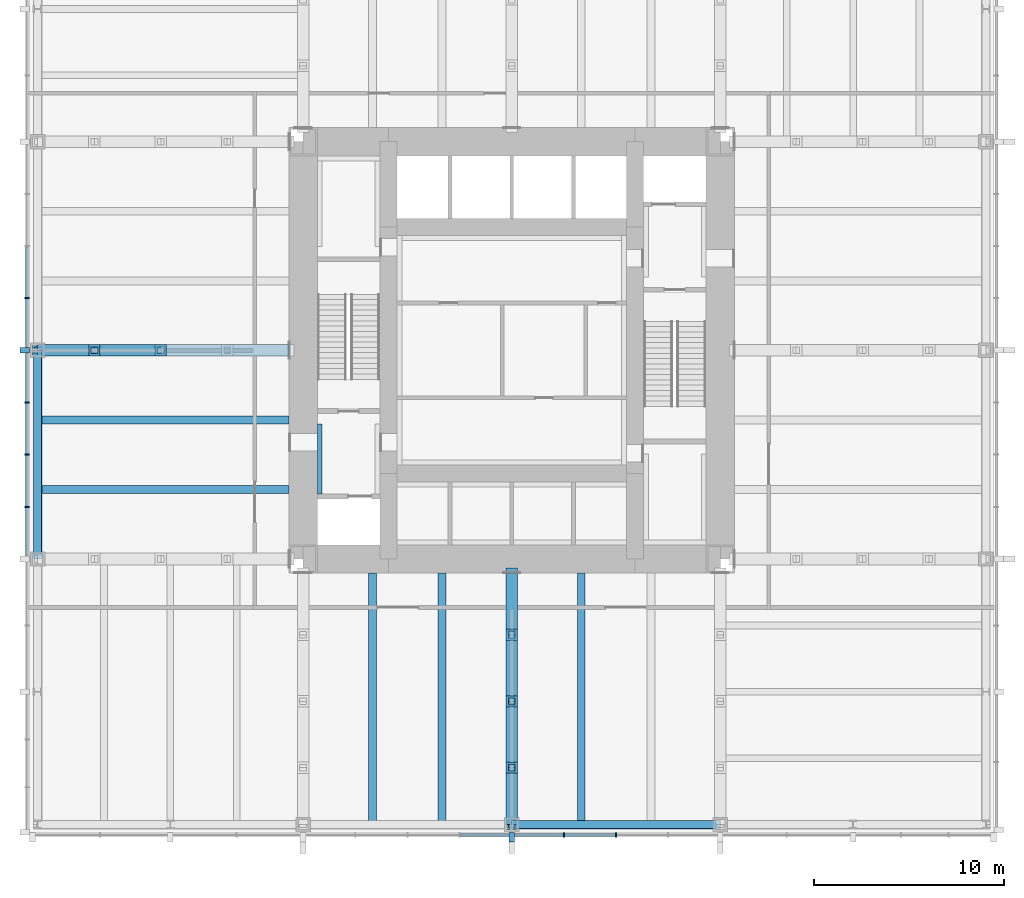
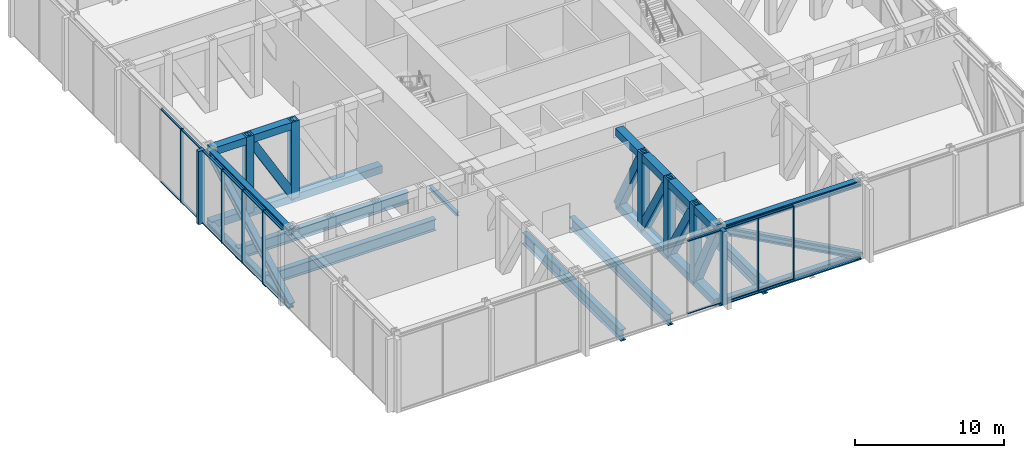
# One storey, part 3 of 13: 39 members, 18 beams, 2 elements without a shape of their own.
"""IFC4 building model written with IfcOpenShell, lengths in metres."""

from ifc_helpers import new_model, si_unit, direction, frame, origin, origin_2d, place, context, subcontext, project, spatial, rectangle, hollow_rectangle, i_section, extrude, material, material_profile, profile_set, type_object, element, aggregate, save


model = new_model("IFC4")

# Units and contexts
model_context = context("Model", 3, precision=1e-05, world=origin(), true_north=direction((0.0, 1.0)))
body_context = subcontext(model_context, "Body", "Model", "MODEL_VIEW")
ifc_project = project(units=[si_unit("LENGTHUNIT", "METRE"), si_unit("AREAUNIT", "SQUARE_METRE"), si_unit("VOLUMEUNIT", "CUBIC_METRE"), si_unit("PLANEANGLEUNIT", "RADIAN"), si_unit("MASSUNIT", "GRAM", prefix="KILO")], contexts=[model_context])

# Site, building, storey
site_placement = place(None, origin())
site = spatial("IfcSite", under=ifc_project, at=site_placement, CompositionType="ELEMENT")
building_placement = place(site_placement, origin())
building = spatial("IfcBuilding", under=site, at=building_placement, Name="Trevanion Tower", CompositionType="ELEMENT")
storey_placement = place(building_placement, frame((0.0, 0.0, 89.800048828125)))
storey = spatial("IfcBuildingStorey", under=building, at=storey_placement, Name="L21", CompositionType="ELEMENT", Elevation=89.800048828125)

# Beams
ifc_material_1 = material(Name="Steel ASTM A992 Grade 50", Category="steel")
ifc_material_profile_1 = material_profile(ifc_material_1, i_section(OverallWidth=0.419189453125, OverallDepth=0.927001953125, WebThickness=0.019287109375, FlangeThickness=0.031982421875, at=origin_2d()), Name="W36X231")
ifc_profile_set_1 = profile_set([ifc_material_profile_1], Name="Steel ASTM A992 Grade 50")
beam_type_1 = type_object("IfcBeamType", Name="B5 W36X231", PredefinedType="BEAM", material=ifc_profile_set_1)
for number, where, z_axis, x_axis, name in (
    (1, (-11.75, -3.666748046875, -0.653564453125), (-1.0, 0.0, 0.0), (0.0, -1.0, 0.0), "B5 L21"),
    (2, (-11.75, -7.333251953125, -0.653564453125), (-1.0, 0.0, 0.0), (0.0, -1.0, 0.0), "B5 L21"),
    (3, (-7.333251953125, -11.75, -0.653564453125), (0.0, -1.0, 0.0), (1.0, 0.0, 0.0), "B5 L21"),
    (4, (-3.666748046875, -11.75, -0.653564453125), (0.0, -1.0, 0.0), (1.0, 0.0, 0.0), "B5 L21"),
    (5, (3.666748046875, -11.75, -0.653564453125), (0.0, -1.0, 0.0), (1.0, 0.0, 0.0), "B5 L21"),
):
    element("IfcBeam", number, at=place(storey_placement, frame(where, z_axis=z_axis, x_axis=x_axis)), inside=storey, type_object=beam_type_1, Name=name, PredefinedType="BEAM", context=body_context, shape_type="SweptSolid", body=[
        extrude(i_section(OverallWidth=0.419189453125, OverallDepth=0.927001953125, WebThickness=0.019287109375, FlangeThickness=0.031982421875, at=origin_2d()), origin(), (0.0, 0.0, 1.0), 13.25),
    ])
ifc_material_2 = material(Name="Steel ASTM A992 Grade 50", Category="steel")
ifc_material_profile_2 = material_profile(ifc_material_2, i_section(OverallWidth=0.431884765625, OverallDepth=0.497802734375, WebThickness=0.0556640625, FlangeThickness=0.0888671875, at=origin_2d()), Name="W14X500")
ifc_profile_set_2 = profile_set([ifc_material_profile_2], Name="Steel ASTM A992 Grade 50")
beam_type_2 = type_object("IfcBeamType", Name="BT1-CH W14X500", PredefinedType="BEAM", material=ifc_profile_set_2)
for number, where, z_axis, x_axis, name in (
    (6, (-25.0, 0.0, -0.494873046875), (0.0, -1.0, 0.0), (1.0, 0.0, 0.0), "BT1 belt truss chord"),
    (7, (-25.0, 0.0, 5.505126953125), (0.0, -1.0, 0.0), (1.0, 0.0, 0.0), "BT1 belt truss chord"),
    (8, (0.0, -25.0, -0.494873046875), (1.0, 0.0, 0.0), (0.0, 1.0, 0.0), "BT1 belt truss chord"),
    (9, (0.0, -25.0, 5.505126953125), (1.0, 0.0, 0.0), (0.0, 1.0, 0.0), "BT1 belt truss chord"),
):
    element("IfcBeam", number, at=place(storey_placement, frame(where, z_axis=z_axis, x_axis=x_axis)), inside=storey, type_object=beam_type_2, Name=name, PredefinedType="BEAM", context=body_context, shape_type="SweptSolid", body=[
        extrude(i_section(OverallWidth=0.431884765625, OverallDepth=0.497802734375, WebThickness=0.0556640625, FlangeThickness=0.0888671875, at=origin_2d()), origin(), (0.0, 0.0, 1.0), 11.0),
    ])

# Members
ifc_material_3 = material(Name="Steel ASTM A992 Grade 50", Category="steel")
ifc_material_profile_3 = material_profile(ifc_material_3, i_section(OverallWidth=0.449462890625, OverallDepth=0.548583984375, WebThickness=0.07177734375, FlangeThickness=0.11474609375, at=origin_2d()), Name="W14X665")
ifc_profile_set_3 = profile_set([ifc_material_profile_3], Name="Steel ASTM A992 Grade 50")
member_type_1 = type_object("IfcMemberType", Name="BT1-D W14X665", PredefinedType="BRACE", material=ifc_profile_set_3)
for number, where, z_axis, x_axis, name in (
    (10, (-25.0, -11.0, -0.494873046875), (0.0, 0.877895572914, 0.478852130681), (-1.0, 0.0, 0.0), "BT1 belt truss diagonal"),
    (11, (11.0, -25.0, -0.494873046875), (-0.877895572914, 0.0, 0.478852130681), (0.0, -1.0, 0.0), "BT1 belt truss diagonal"),
):
    element("IfcMember", number, at=place(storey_placement, frame(where, z_axis=z_axis, x_axis=x_axis)), inside=storey, type_object=member_type_1, Name=name, PredefinedType="BRACE", context=body_context, shape_type="SweptSolid", body=[
        extrude(i_section(OverallWidth=0.449462890625, OverallDepth=0.548583984375, WebThickness=0.07177734375, FlangeThickness=0.11474609375, at=origin_2d()), origin(), (0.0, 0.0, 1.0), 12.530029296875),
    ])

# Curtain wall, members
ifc_material_4 = material(Name="Aluminium louvres", Category="aluminium")
curtain_wall_type = type_object("IfcCurtainWallType", Name="CWL curtain wall", PredefinedType="USERDEFINED", material=ifc_material_4)
curtain_wall_1_placement = place(storey_placement, origin())
curtain_wall_1 = element("IfcCurtainWall", 12, at=curtain_wall_1_placement, inside=storey, type_object=curtain_wall_type, Name="CWL L21 2", ObjectType="LOUVRE SCREEN", PredefinedType="USERDEFINED")
ifc_material_5 = material(Name="Aluminium extrusion, anodised bronze", Category="aluminium")
ifc_material_profile_4 = material_profile(ifc_material_5, rectangle(XDim=0.074951171875, YDim=0.25, at=origin_2d()), Name="CWL mullion")
ifc_profile_set_4 = profile_set([ifc_material_profile_4], Name="Aluminium extrusion, anodised bronze")
member_type_2 = type_object("IfcMemberType", Name="CWL mullion", PredefinedType="MULLION", material=ifc_profile_set_4)
member_1_placement = place(storey_placement, frame((-25.550048828125, 2.75, -0.18994140625), z_axis=(0.0, 0.0, 1.0), x_axis=(0.0, -1.0, 0.0)))
member_1 = element("IfcMember", 13, at=member_1_placement, type_object=member_type_2, Name="CWL mullion 8", PredefinedType="MULLION", context=body_context, shape_type="SweptSolid", body=[
    extrude(rectangle(XDim=0.074951171875, YDim=0.25, at=origin_2d()), origin(), (0.0, 0.0, 1.0), 6.0),
])
member_2_placement = place(storey_placement, frame((-25.550048828125, -2.75, -0.18994140625), z_axis=(0.0, 0.0, 1.0), x_axis=(0.0, -1.0, 0.0)))
member_2 = element("IfcMember", 14, at=member_2_placement, type_object=member_type_2, Name="CWL mullion 10", PredefinedType="MULLION", context=body_context, shape_type="SweptSolid", body=[
    extrude(rectangle(XDim=0.074951171875, YDim=0.25, at=origin_2d()), origin(), (0.0, 0.0, 1.0), 6.0),
])
member_3_placement = place(storey_placement, frame((-25.550048828125, -5.5, -0.18994140625), z_axis=(0.0, 0.0, 1.0), x_axis=(0.0, -1.0, 0.0)))
member_3 = element("IfcMember", 15, at=member_3_placement, type_object=member_type_2, Name="CWL mullion 11", PredefinedType="MULLION", context=body_context, shape_type="SweptSolid", body=[
    extrude(rectangle(XDim=0.074951171875, YDim=0.25, at=origin_2d()), origin(), (0.0, 0.0, 1.0), 6.0),
])
member_4_placement = place(storey_placement, frame((-25.550048828125, -8.25, -0.18994140625), z_axis=(0.0, 0.0, 1.0), x_axis=(0.0, -1.0, 0.0)))
member_4 = element("IfcMember", 16, at=member_4_placement, type_object=member_type_2, Name="CWL mullion 12", PredefinedType="MULLION", context=body_context, shape_type="SweptSolid", body=[
    extrude(rectangle(XDim=0.074951171875, YDim=0.25, at=origin_2d()), origin(), (0.0, 0.0, 1.0), 6.0),
])

curtain_wall_2_placement = place(storey_placement, origin())
curtain_wall_2 = element("IfcCurtainWall", 17, at=curtain_wall_2_placement, inside=storey, type_object=curtain_wall_type, Name="CWL L21 3", ObjectType="LOUVRE SCREEN", PredefinedType="USERDEFINED")
member_5_placement = place(storey_placement, frame((2.75, -25.550048828125, -0.18994140625), z_axis=(0.0, 0.0, 1.0), x_axis=(1.0, 0.0, 0.0)))
member_5 = element("IfcMember", 18, at=member_5_placement, type_object=member_type_2, Name="CWL mullion 10", PredefinedType="MULLION", context=body_context, shape_type="SweptSolid", body=[
    extrude(rectangle(XDim=0.074951171875, YDim=0.25, at=origin_2d()), origin(), (0.0, 0.0, 1.0), 6.0),
])
member_6_placement = place(storey_placement, frame((5.5, -25.550048828125, -0.18994140625), z_axis=(0.0, 0.0, 1.0), x_axis=(1.0, 0.0, 0.0)))
member_6 = element("IfcMember", 19, at=member_6_placement, type_object=member_type_2, Name="CWL mullion 11", PredefinedType="MULLION", context=body_context, shape_type="SweptSolid", body=[
    extrude(rectangle(XDim=0.074951171875, YDim=0.25, at=origin_2d()), origin(), (0.0, 0.0, 1.0), 6.0),
])

# Member
ifc_material_6 = material(Name="Aluminium extrusion, anodised bronze", Category="aluminium")
ifc_material_profile_5 = material_profile(ifc_material_6, rectangle(XDim=0.300048828125, YDim=0.5, at=origin_2d()), Name="CWL pier mullion")
ifc_profile_set_5 = profile_set([ifc_material_profile_5], Name="Aluminium extrusion, anodised bronze")
member_type_3 = type_object("IfcMemberType", Name="CWL pier mullion", PredefinedType="MULLION", material=ifc_profile_set_5)
member_7_placement = place(storey_placement, frame((-25.675048828125, 0.0, -0.18994140625), z_axis=(0.0, 0.0, 1.0), x_axis=(0.0, -1.0, 0.0)))
member_7 = element("IfcMember", 20, at=member_7_placement, type_object=member_type_3, Name="CWL pier mullion 9", PredefinedType="MULLION", context=body_context, shape_type="SweptSolid", body=[
    extrude(rectangle(XDim=0.300048828125, YDim=0.5, at=origin_2d()), origin(), (0.0, 0.0, 1.0), 6.0),
])

member_8_placement = place(storey_placement, frame((0.0, -25.675048828125, -0.18994140625), z_axis=(0.0, 0.0, 1.0), x_axis=(1.0, 0.0, 0.0)))
member_8 = element("IfcMember", 21, at=member_8_placement, type_object=member_type_3, Name="CWL pier mullion 9", PredefinedType="MULLION", context=body_context, shape_type="SweptSolid", body=[
    extrude(rectangle(XDim=0.300048828125, YDim=0.5, at=origin_2d()), origin(), (0.0, 0.0, 1.0), 6.0),
])

ifc_material_7 = material(Name="Aluminium extrusion, anodised bronze", Category="aluminium")
ifc_material_profile_6 = material_profile(ifc_material_7, rectangle(XDim=0.14990234375, YDim=0.074951171875, at=origin_2d()), Name="CWL transom")
ifc_profile_set_6 = profile_set([ifc_material_profile_6], Name="Aluminium extrusion, anodised bronze")
member_type_4 = type_object("IfcMemberType", Name="CWL transom", PredefinedType="USERDEFINED", material=ifc_profile_set_6)
member_9_placement = place(storey_placement, frame((-25.550048828125, 5.46240234375, -0.152587890625), z_axis=(0.0, -1.0, 0.0), x_axis=(1.0, 0.0, 0.0)))
member_9 = element("IfcMember", 22, at=member_9_placement, type_object=member_type_4, Name="CWL transom 7.1", ObjectType="TRANSOM", PredefinedType="USERDEFINED", context=body_context, shape_type="SweptSolid", body=[
    extrude(rectangle(XDim=0.14990234375, YDim=0.074951171875, at=origin_2d()), origin(), (0.0, 0.0, 1.0), 2.6748046875),
])

member_10_placement = place(storey_placement, frame((-25.550048828125, 5.46240234375, 5.7724609375), z_axis=(0.0, -1.0, 0.0), x_axis=(1.0, 0.0, 0.0)))
member_10 = element("IfcMember", 23, at=member_10_placement, type_object=member_type_4, Name="CWL transom 7.2", ObjectType="TRANSOM", PredefinedType="USERDEFINED", context=body_context, shape_type="SweptSolid", body=[
    extrude(rectangle(XDim=0.14990234375, YDim=0.074951171875, at=origin_2d()), origin(), (0.0, 0.0, 1.0), 2.6748046875),
])

member_11_placement = place(storey_placement, frame((-25.550048828125, 2.71240234375, -0.152587890625), z_axis=(0.0, -1.0, 0.0), x_axis=(1.0, 0.0, 0.0)))
member_11 = element("IfcMember", 24, at=member_11_placement, type_object=member_type_4, Name="CWL transom 8.1", ObjectType="TRANSOM", PredefinedType="USERDEFINED", context=body_context, shape_type="SweptSolid", body=[
    extrude(rectangle(XDim=0.14990234375, YDim=0.074951171875, at=origin_2d()), origin(), (0.0, 0.0, 1.0), 2.5625),
])

member_12_placement = place(storey_placement, frame((-25.550048828125, 2.71240234375, 5.7724609375), z_axis=(0.0, -1.0, 0.0), x_axis=(1.0, 0.0, 0.0)))
member_12 = element("IfcMember", 25, at=member_12_placement, type_object=member_type_4, Name="CWL transom 8.2", ObjectType="TRANSOM", PredefinedType="USERDEFINED", context=body_context, shape_type="SweptSolid", body=[
    extrude(rectangle(XDim=0.14990234375, YDim=0.074951171875, at=origin_2d()), origin(), (0.0, 0.0, 1.0), 2.5625),
])

member_13_placement = place(storey_placement, frame((-25.550048828125, -0.14990234375, -0.152587890625), z_axis=(0.0, -1.0, 0.0), x_axis=(1.0, 0.0, 0.0)))
member_13 = element("IfcMember", 26, at=member_13_placement, type_object=member_type_4, Name="CWL transom 9.1", ObjectType="TRANSOM", PredefinedType="USERDEFINED", context=body_context, shape_type="SweptSolid", body=[
    extrude(rectangle(XDim=0.14990234375, YDim=0.074951171875, at=origin_2d()), origin(), (0.0, 0.0, 1.0), 2.5625),
])

member_14_placement = place(storey_placement, frame((-25.550048828125, -0.14990234375, 5.7724609375), z_axis=(0.0, -1.0, 0.0), x_axis=(1.0, 0.0, 0.0)))
member_14 = element("IfcMember", 27, at=member_14_placement, type_object=member_type_4, Name="CWL transom 9.2", ObjectType="TRANSOM", PredefinedType="USERDEFINED", context=body_context, shape_type="SweptSolid", body=[
    extrude(rectangle(XDim=0.14990234375, YDim=0.074951171875, at=origin_2d()), origin(), (0.0, 0.0, 1.0), 2.5625),
])

member_15_placement = place(storey_placement, frame((-25.550048828125, -2.78759765625, -0.152587890625), z_axis=(0.0, -1.0, 0.0), x_axis=(1.0, 0.0, 0.0)))
member_15 = element("IfcMember", 28, at=member_15_placement, type_object=member_type_4, Name="CWL transom 10.1", ObjectType="TRANSOM", PredefinedType="USERDEFINED", context=body_context, shape_type="SweptSolid", body=[
    extrude(rectangle(XDim=0.14990234375, YDim=0.074951171875, at=origin_2d()), origin(), (0.0, 0.0, 1.0), 2.6748046875),
])

member_16_placement = place(storey_placement, frame((-25.550048828125, -2.78759765625, 5.7724609375), z_axis=(0.0, -1.0, 0.0), x_axis=(1.0, 0.0, 0.0)))
member_16 = element("IfcMember", 29, at=member_16_placement, type_object=member_type_4, Name="CWL transom 10.2", ObjectType="TRANSOM", PredefinedType="USERDEFINED", context=body_context, shape_type="SweptSolid", body=[
    extrude(rectangle(XDim=0.14990234375, YDim=0.074951171875, at=origin_2d()), origin(), (0.0, 0.0, 1.0), 2.6748046875),
])

member_17_placement = place(storey_placement, frame((-25.550048828125, -5.53759765625, -0.152587890625), z_axis=(0.0, -1.0, 0.0), x_axis=(1.0, 0.0, 0.0)))
member_17 = element("IfcMember", 30, at=member_17_placement, type_object=member_type_4, Name="CWL transom 11.1", ObjectType="TRANSOM", PredefinedType="USERDEFINED", context=body_context, shape_type="SweptSolid", body=[
    extrude(rectangle(XDim=0.14990234375, YDim=0.074951171875, at=origin_2d()), origin(), (0.0, 0.0, 1.0), 2.6748046875),
])

member_18_placement = place(storey_placement, frame((-25.550048828125, -5.53759765625, 5.7724609375), z_axis=(0.0, -1.0, 0.0), x_axis=(1.0, 0.0, 0.0)))
member_18 = element("IfcMember", 31, at=member_18_placement, type_object=member_type_4, Name="CWL transom 11.2", ObjectType="TRANSOM", PredefinedType="USERDEFINED", context=body_context, shape_type="SweptSolid", body=[
    extrude(rectangle(XDim=0.14990234375, YDim=0.074951171875, at=origin_2d()), origin(), (0.0, 0.0, 1.0), 2.6748046875),
])

member_19_placement = place(storey_placement, frame((-25.550048828125, -8.28759765625, -0.152587890625), z_axis=(0.0, -1.0, 0.0), x_axis=(1.0, 0.0, 0.0)))
member_19 = element("IfcMember", 32, at=member_19_placement, type_object=member_type_4, Name="CWL transom 12.1", ObjectType="TRANSOM", PredefinedType="USERDEFINED", context=body_context, shape_type="SweptSolid", body=[
    extrude(rectangle(XDim=0.14990234375, YDim=0.074951171875, at=origin_2d()), origin(), (0.0, 0.0, 1.0), 2.5625),
])

member_20_placement = place(storey_placement, frame((-25.550048828125, -8.28759765625, 5.7724609375), z_axis=(0.0, -1.0, 0.0), x_axis=(1.0, 0.0, 0.0)))
member_20 = element("IfcMember", 33, at=member_20_placement, type_object=member_type_4, Name="CWL transom 12.2", ObjectType="TRANSOM", PredefinedType="USERDEFINED", context=body_context, shape_type="SweptSolid", body=[
    extrude(rectangle(XDim=0.14990234375, YDim=0.074951171875, at=origin_2d()), origin(), (0.0, 0.0, 1.0), 2.5625),
])

aggregate(curtain_wall_1, [member_1, member_7, member_2, member_3, member_4, member_9, member_10, member_11, member_12, member_13, member_14, member_15, member_16, member_17, member_18, member_19, member_20])

member_21_placement = place(storey_placement, frame((-2.71240234375, -25.550048828125, -0.152587890625), z_axis=(1.0, 0.0, 0.0), x_axis=(0.0, 1.0, 0.0)))
member_21 = element("IfcMember", 34, at=member_21_placement, type_object=member_type_4, Name="CWL transom 8.1", ObjectType="TRANSOM", PredefinedType="USERDEFINED", context=body_context, shape_type="SweptSolid", body=[
    extrude(rectangle(XDim=0.14990234375, YDim=0.074951171875, at=origin_2d()), origin(), (0.0, 0.0, 1.0), 2.5625),
])

member_22_placement = place(storey_placement, frame((-2.71240234375, -25.550048828125, 5.7724609375), z_axis=(1.0, 0.0, 0.0), x_axis=(0.0, 1.0, 0.0)))
member_22 = element("IfcMember", 35, at=member_22_placement, type_object=member_type_4, Name="CWL transom 8.2", ObjectType="TRANSOM", PredefinedType="USERDEFINED", context=body_context, shape_type="SweptSolid", body=[
    extrude(rectangle(XDim=0.14990234375, YDim=0.074951171875, at=origin_2d()), origin(), (0.0, 0.0, 1.0), 2.5625),
])

member_23_placement = place(storey_placement, frame((0.14990234375, -25.550048828125, -0.152587890625), z_axis=(1.0, 0.0, 0.0), x_axis=(0.0, 1.0, 0.0)))
member_23 = element("IfcMember", 36, at=member_23_placement, type_object=member_type_4, Name="CWL transom 9.1", ObjectType="TRANSOM", PredefinedType="USERDEFINED", context=body_context, shape_type="SweptSolid", body=[
    extrude(rectangle(XDim=0.14990234375, YDim=0.074951171875, at=origin_2d()), origin(), (0.0, 0.0, 1.0), 2.5625),
])

member_24_placement = place(storey_placement, frame((0.14990234375, -25.550048828125, 5.7724609375), z_axis=(1.0, 0.0, 0.0), x_axis=(0.0, 1.0, 0.0)))
member_24 = element("IfcMember", 37, at=member_24_placement, type_object=member_type_4, Name="CWL transom 9.2", ObjectType="TRANSOM", PredefinedType="USERDEFINED", context=body_context, shape_type="SweptSolid", body=[
    extrude(rectangle(XDim=0.14990234375, YDim=0.074951171875, at=origin_2d()), origin(), (0.0, 0.0, 1.0), 2.5625),
])

member_25_placement = place(storey_placement, frame((2.78759765625, -25.550048828125, -0.152587890625), z_axis=(1.0, 0.0, 0.0), x_axis=(0.0, 1.0, 0.0)))
member_25 = element("IfcMember", 38, at=member_25_placement, type_object=member_type_4, Name="CWL transom 10.1", ObjectType="TRANSOM", PredefinedType="USERDEFINED", context=body_context, shape_type="SweptSolid", body=[
    extrude(rectangle(XDim=0.14990234375, YDim=0.074951171875, at=origin_2d()), origin(), (0.0, 0.0, 1.0), 2.6748046875),
])

member_26_placement = place(storey_placement, frame((2.78759765625, -25.550048828125, 5.7724609375), z_axis=(1.0, 0.0, 0.0), x_axis=(0.0, 1.0, 0.0)))
member_26 = element("IfcMember", 39, at=member_26_placement, type_object=member_type_4, Name="CWL transom 10.2", ObjectType="TRANSOM", PredefinedType="USERDEFINED", context=body_context, shape_type="SweptSolid", body=[
    extrude(rectangle(XDim=0.14990234375, YDim=0.074951171875, at=origin_2d()), origin(), (0.0, 0.0, 1.0), 2.6748046875),
])

aggregate(curtain_wall_2, [member_8, member_5, member_6, member_21, member_22, member_23, member_24, member_25, member_26])

# Beams
ifc_material_8 = material(Name="Steel ASTM A992 Grade 50", Category="steel")
ifc_material_profile_7 = material_profile(ifc_material_8, i_section(OverallWidth=0.256591796875, OverallDepth=0.26416015625, WebThickness=0.011962890625, FlangeThickness=0.01953125, at=origin_2d()), Name="W10X68")
ifc_profile_set_7 = profile_set([ifc_material_profile_7], Name="Steel ASTM A992 Grade 50")
beam_type_3 = type_object("IfcBeamType", Name="LB1 W10X68", PredefinedType="BEAM", material=ifc_profile_set_7)
beam_1_placement = place(storey_placement, frame((-10.12158203125, -7.574951171875, -0.33203125), z_axis=(0.0, 1.0, 0.0), x_axis=(-1.0, 0.0, 0.0)))
element("IfcBeam", 40, at=beam_1_placement, inside=storey, type_object=beam_type_3, Name="LB1 L21", PredefinedType="BEAM", context=body_context, shape_type="SweptSolid", body=[
    extrude(i_section(OverallWidth=0.256591796875, OverallDepth=0.26416015625, WebThickness=0.011962890625, FlangeThickness=0.01953125, at=origin_2d()), origin(), (0.0, 0.0, 1.0), 3.699951171875),
])
ifc_material_9 = material(Name="Steel ASTM A588 Grade 50", Category="steel")
ifc_material_profile_8 = material_profile(ifc_material_9, hollow_rectangle(XDim=0.609619140625, YDim=0.609619140625, WallThickness=0.15234375, at=origin_2d()), Name="BOX24X24X6")
ifc_profile_set_8 = profile_set([ifc_material_profile_8], Name="Steel ASTM A588 Grade 50")
beam_type_4 = type_object("IfcBeamType", Name="OT1-CH BOX24X24X6", PredefinedType="BEAM", material=ifc_profile_set_8)
beam_2_placement = place(storey_placement, frame((-11.75, 0.0, -0.494873046875), z_axis=(-1.0, 0.0, 0.0), x_axis=(0.0, -1.0, 0.0)))
element("IfcBeam", 41, at=beam_2_placement, inside=storey, type_object=beam_type_4, Name="OT1 3/H outrigger and transfer truss chord", PredefinedType="BEAM", context=body_context, shape_type="SweptSolid", body=[
    extrude(hollow_rectangle(XDim=0.609619140625, YDim=0.609619140625, WallThickness=0.15234375, at=origin_2d()), origin(), (0.0, 0.0, 1.0), 13.25),
])
beam_3_placement = place(storey_placement, frame((-18.5, 0.0, 5.505126953125), z_axis=(-1.0, 0.0, 0.0), x_axis=(0.0, -1.0, 0.0)))
element("IfcBeam", 42, at=beam_3_placement, inside=storey, type_object=beam_type_4, Name="OT1 3/H outrigger and transfer truss chord", PredefinedType="BEAM", context=body_context, shape_type="SweptSolid", body=[
    extrude(hollow_rectangle(XDim=0.609619140625, YDim=0.609619140625, WallThickness=0.15234375, at=origin_2d()), origin(), (0.0, 0.0, 1.0), 3.5),
])
beam_4_placement = place(storey_placement, frame((-22.0, 0.0, 5.505126953125), z_axis=(-1.0, 0.0, 0.0), x_axis=(0.0, -1.0, 0.0)))
element("IfcBeam", 43, at=beam_4_placement, inside=storey, type_object=beam_type_4, Name="OT1 3/H outrigger and transfer truss chord", PredefinedType="BEAM", context=body_context, shape_type="SweptSolid", body=[
    extrude(hollow_rectangle(XDim=0.609619140625, YDim=0.609619140625, WallThickness=0.15234375, at=origin_2d()), origin(), (0.0, 0.0, 1.0), 3.0),
])
beam_5_placement = place(storey_placement, frame((0.0, -11.75, -0.494873046875), z_axis=(0.0, -1.0, 0.0), x_axis=(1.0, 0.0, 0.0)))
element("IfcBeam", 44, at=beam_5_placement, inside=storey, type_object=beam_type_4, Name="OT1 10/A outrigger and transfer truss chord", PredefinedType="BEAM", context=body_context, shape_type="SweptSolid", body=[
    extrude(hollow_rectangle(XDim=0.609619140625, YDim=0.609619140625, WallThickness=0.15234375, at=origin_2d()), origin(), (0.0, 0.0, 1.0), 13.25),
])
beam_6_placement = place(storey_placement, frame((0.0, -11.75, 5.505126953125), z_axis=(0.0, -1.0, 0.0), x_axis=(1.0, 0.0, 0.0)))
element("IfcBeam", 45, at=beam_6_placement, inside=storey, type_object=beam_type_4, Name="OT1 10/A outrigger and transfer truss chord", PredefinedType="BEAM", context=body_context, shape_type="SweptSolid", body=[
    extrude(hollow_rectangle(XDim=0.609619140625, YDim=0.609619140625, WallThickness=0.15234375, at=origin_2d()), origin(), (0.0, 0.0, 1.0), 3.25),
])
for number, where, z_axis, x_axis, name in (
    (46, (0.0, -15.0, 5.505126953125), (0.0, -1.0, 0.0), (1.0, 0.0, 0.0), "OT1 10/A outrigger and transfer truss chord"),
    (47, (0.0, -18.5, 5.505126953125), (0.0, -1.0, 0.0), (1.0, 0.0, 0.0), "OT1 10/A outrigger and transfer truss chord"),
):
    element("IfcBeam", number, at=place(storey_placement, frame(where, z_axis=z_axis, x_axis=x_axis)), inside=storey, type_object=beam_type_4, Name=name, PredefinedType="BEAM", context=body_context, shape_type="SweptSolid", body=[
        extrude(hollow_rectangle(XDim=0.609619140625, YDim=0.609619140625, WallThickness=0.15234375, at=origin_2d()), origin(), (0.0, 0.0, 1.0), 3.5),
    ])
beam_7_placement = place(storey_placement, frame((0.0, -22.0, 5.505126953125), z_axis=(0.0, -1.0, 0.0), x_axis=(1.0, 0.0, 0.0)))
element("IfcBeam", 48, at=beam_7_placement, inside=storey, type_object=beam_type_4, Name="OT1 10/A outrigger and transfer truss chord", PredefinedType="BEAM", context=body_context, shape_type="SweptSolid", body=[
    extrude(hollow_rectangle(XDim=0.609619140625, YDim=0.609619140625, WallThickness=0.15234375, at=origin_2d()), origin(), (0.0, 0.0, 1.0), 3.0),
])

# Members
ifc_material_10 = material(Name="Steel ASTM A588 Grade 50", Category="steel")
ifc_material_profile_9 = material_profile(ifc_material_10, hollow_rectangle(XDim=0.609619140625, YDim=0.609619140625, WallThickness=0.126953125, at=origin_2d()), Name="BOX24X24X5")
ifc_profile_set_9 = profile_set([ifc_material_profile_9], Name="Steel ASTM A588 Grade 50")
member_type_5 = type_object("IfcMemberType", Name="OT1-D BOX24X24X5", PredefinedType="BRACE", material=ifc_profile_set_9)
member_27_placement = place(storey_placement, frame((-18.5, 0.0, -0.494873046875), z_axis=(-0.503871025524, 0.0, 0.863778900898), x_axis=(0.0, -1.0, 0.0)))
element("IfcMember", 49, at=member_27_placement, inside=storey, type_object=member_type_5, Name="OT1 3/H outrigger and transfer truss diagonal", PredefinedType="BRACE", context=body_context, shape_type="SweptSolid", body=[
    extrude(hollow_rectangle(XDim=0.609619140625, YDim=0.609619140625, WallThickness=0.126953125, at=origin_2d()), origin(), (0.0, 0.0, 1.0), 6.9462890625),
])
member_28_placement = place(storey_placement, frame((-22.0, 0.0, -0.494873046875), z_axis=(-0.4472135955, 0.0, 0.894427191), x_axis=(0.0, -1.0, 0.0)))
element("IfcMember", 50, at=member_28_placement, inside=storey, type_object=member_type_5, Name="OT1 3/H outrigger and transfer truss diagonal", PredefinedType="BRACE", context=body_context, shape_type="SweptSolid", body=[
    extrude(hollow_rectangle(XDim=0.609619140625, YDim=0.609619140625, WallThickness=0.126953125, at=origin_2d()), origin(), (0.0, 0.0, 1.0), 6.708251953125),
])
member_29_placement = place(storey_placement, frame((0.0, -11.75, -0.494873046875), z_axis=(0.0, -0.476283148541, 0.879291966537), x_axis=(1.0, 0.0, 0.0)))
element("IfcMember", 51, at=member_29_placement, inside=storey, type_object=member_type_5, Name="OT1 10/A outrigger and transfer truss diagonal", PredefinedType="BRACE", context=body_context, shape_type="SweptSolid", body=[
    extrude(hollow_rectangle(XDim=0.609619140625, YDim=0.609619140625, WallThickness=0.126953125, at=origin_2d()), origin(), (0.0, 0.0, 1.0), 6.82373046875),
])
for number, where, z_axis, x_axis, name in (
    (52, (0.0, -15.0, -0.494873046875), (0.0, -0.503871025524, 0.863778900898), (1.0, 0.0, 0.0), "OT1 10/A outrigger and transfer truss diagonal"),
    (53, (0.0, -18.5, -0.494873046875), (0.0, -0.503871025524, 0.863778900898), (1.0, 0.0, 0.0), "OT1 10/A outrigger and transfer truss diagonal"),
):
    element("IfcMember", number, at=place(storey_placement, frame(where, z_axis=z_axis, x_axis=x_axis)), inside=storey, type_object=member_type_5, Name=name, PredefinedType="BRACE", context=body_context, shape_type="SweptSolid", body=[
        extrude(hollow_rectangle(XDim=0.609619140625, YDim=0.609619140625, WallThickness=0.126953125, at=origin_2d()), origin(), (0.0, 0.0, 1.0), 6.9462890625),
    ])
member_30_placement = place(storey_placement, frame((0.0, -22.0, -0.494873046875), z_axis=(0.0, -0.4472135955, 0.894427191), x_axis=(1.0, 0.0, 0.0)))
element("IfcMember", 54, at=member_30_placement, inside=storey, type_object=member_type_5, Name="OT1 10/A outrigger and transfer truss diagonal", PredefinedType="BRACE", context=body_context, shape_type="SweptSolid", body=[
    extrude(hollow_rectangle(XDim=0.609619140625, YDim=0.609619140625, WallThickness=0.126953125, at=origin_2d()), origin(), (0.0, 0.0, 1.0), 6.708251953125),
])
ifc_material_11 = material(Name="Steel ASTM A588 Grade 50", Category="steel")
ifc_material_profile_10 = material_profile(ifc_material_11, hollow_rectangle(XDim=0.609619140625, YDim=0.609619140625, WallThickness=0.126953125, at=origin_2d()), Name="BOX24X24X5")
ifc_profile_set_10 = profile_set([ifc_material_profile_10], Name="Steel ASTM A588 Grade 50")
member_type_6 = type_object("IfcMemberType", Name="OT1-V BOX24X24X5", PredefinedType="POST", material=ifc_profile_set_10)
for number, where, z_axis, x_axis, name in (
    (55, (-18.5, 0.0, -0.494873046875), (0.0, 0.0, 1.0), (1.0, 0.0, 0.0), "OT1 3/H outrigger and transfer truss vertical"),
    (56, (-22.0, 0.0, -0.494873046875), (0.0, 0.0, 1.0), (1.0, 0.0, 0.0), "OT1 3/H outrigger and transfer truss vertical"),
    (57, (0.0, -15.0, -0.494873046875), (0.0, 0.0, 1.0), (1.0, 0.0, 0.0), "OT1 10/A outrigger and transfer truss vertical"),
    (58, (0.0, -18.5, -0.494873046875), (0.0, 0.0, 1.0), (1.0, 0.0, 0.0), "OT1 10/A outrigger and transfer truss vertical"),
    (59, (0.0, -22.0, -0.494873046875), (0.0, 0.0, 1.0), (1.0, 0.0, 0.0), "OT1 10/A outrigger and transfer truss vertical"),
):
    element("IfcMember", number, at=place(storey_placement, frame(where, z_axis=z_axis, x_axis=x_axis)), inside=storey, type_object=member_type_6, Name=name, PredefinedType="POST", context=body_context, shape_type="SweptSolid", body=[
        extrude(hollow_rectangle(XDim=0.609619140625, YDim=0.609619140625, WallThickness=0.126953125, at=origin_2d()), origin(), (0.0, 0.0, 1.0), 6.304931640625),
    ])

save(model, "model.ifc")
